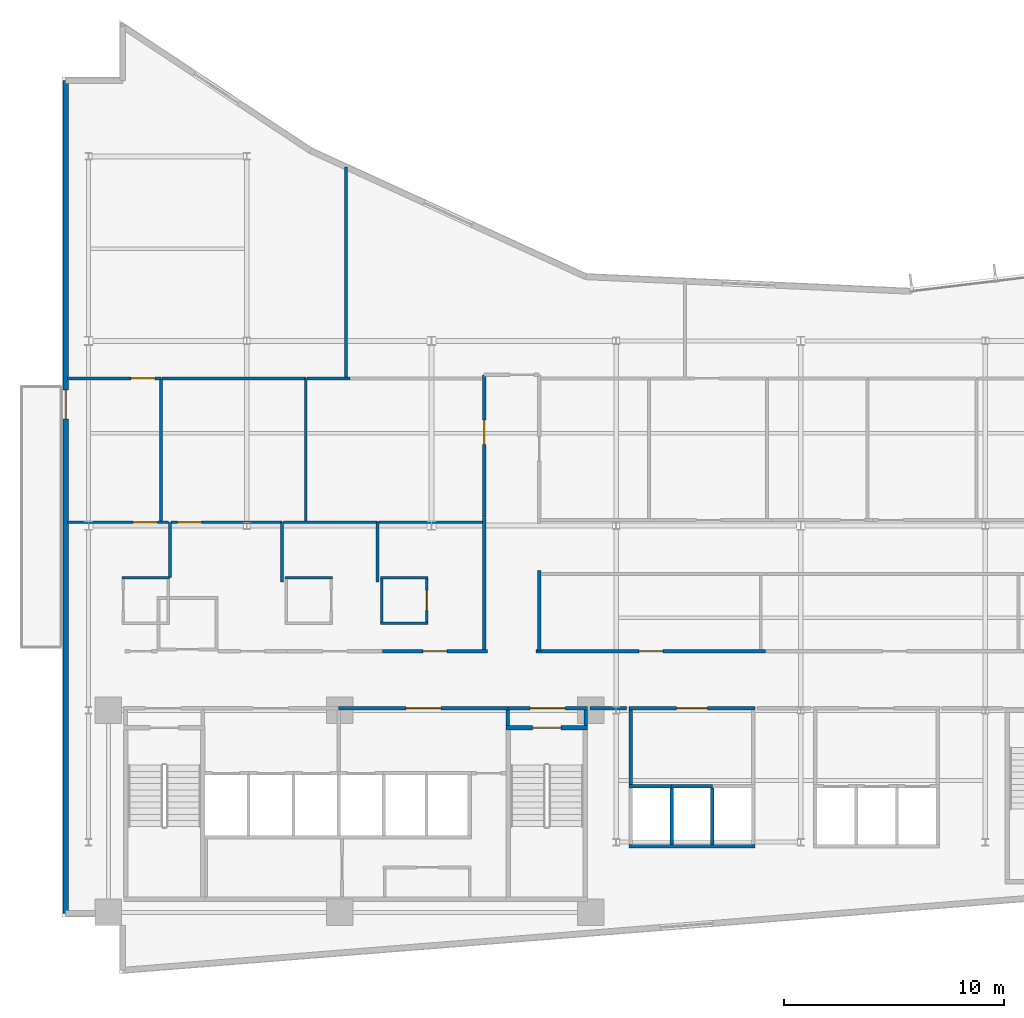
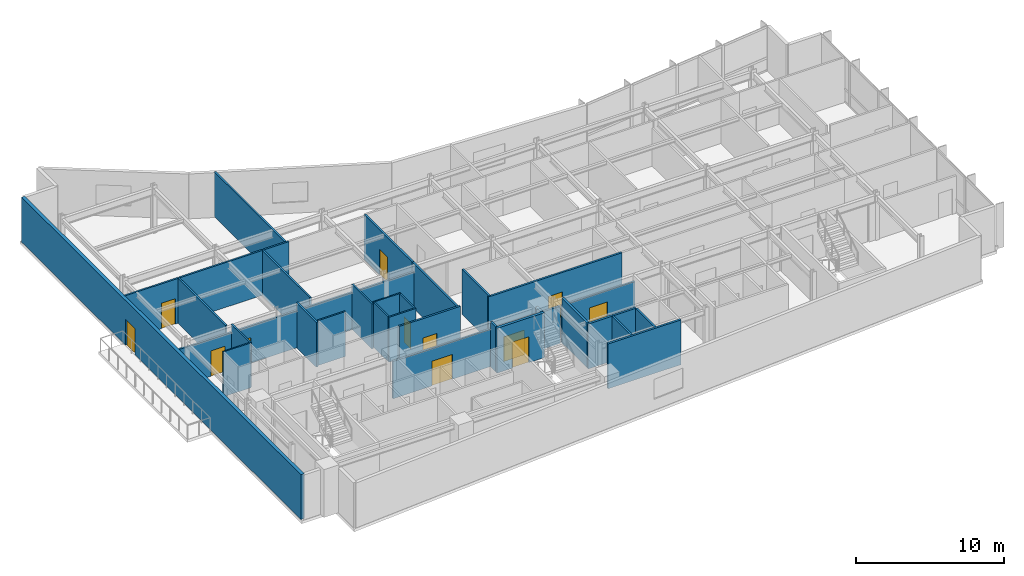
# One storey, part 11 of 18: 38 walls, 12 doors, 12 openings.
"""IFC4 building model written with IfcOpenShell, lengths in metres."""

from ifc_helpers import new_model, si_unit, direction, frame, frame_2d, origin, place, context, subcontext, project, spatial, rectangle, extrude, material, layer, layer_set, type_object, element, fill, save


model = new_model("IFC4")

# Units and contexts
model_context = context("Model", 3, precision=1e-05, world=origin(), true_north=direction((0.0, 1.0)))
body_context = subcontext(model_context, "Body", "Model", "MODEL_VIEW")
ifc_project = project(units=[si_unit("LENGTHUNIT", "METRE"), si_unit("AREAUNIT", "SQUARE_METRE"), si_unit("VOLUMEUNIT", "CUBIC_METRE"), si_unit("PLANEANGLEUNIT", "RADIAN"), si_unit("MASSUNIT", "GRAM", prefix="KILO")], contexts=[model_context])

# Site, building, storey
site_placement = place(None, origin())
site = spatial("IfcSite", under=ifc_project, at=site_placement, CompositionType="ELEMENT")
building_placement = place(site_placement, origin())
building = spatial("IfcBuilding", under=site, at=building_placement, Name="Varnakote Quay Hospital", CompositionType="ELEMENT")
storey_placement = place(building_placement, frame((0.0, 0.0, 107.300048828125)))
storey = spatial("IfcBuildingStorey", under=building, at=storey_placement, Name="L26", CompositionType="ELEMENT", Elevation=107.300048828125)

# Wall, opening, door
ifc_material_1 = material(Name="Fire-rated acoustic gypsum stud wall", Category="gypsum")
ifc_layer_1 = layer(ifc_material_1, 0.159912109375)
ifc_layer_set_1 = layer_set([ifc_layer_1], Name="Fire-rated acoustic gypsum stud wall")
wall_type_1 = type_object("IfcWallType", Name="WL-COMP-160", PredefinedType="PARTITIONING", material=ifc_layer_set_1)
wall_1_placement = place(storey_placement, frame((12.580078125, 12.080078125, 0.0), z_axis=(0.0, 0.0, 1.0), x_axis=(1.0, 0.0, 0.0)))
wall_1 = element("IfcWall", 1, at=wall_1_placement, inside=storey, type_object=wall_type_1, Name="L26 Clinical Bed Lift Lobby Wall", PredefinedType="PARTITIONING", context=body_context, shape_type="SweptSolid", body=[
    extrude(rectangle(XDim=7.699951171875, YDim=0.159912109375, at=frame_2d((3.85009765625, 0.0))), origin(), (0.0, 0.0, 1.0), 3.0830078125),
])
opening_1_placement = place(wall_1_placement, frame((3.050048828125, 0.0, 0.0)))
opening_1 = element("IfcOpeningElement", 2, at=opening_1_placement, cuts=wall_1, Name="Opening D-SVL-L26", PredefinedType="OPENING", context=body_context, shape_type="SweptSolid", body=[
    extrude(rectangle(XDim=1.60009765625, YDim=2.050048828125, at=frame_2d((0.800048828125, 1.02490234375))), frame((0.0, 0.08984375, 0.0), z_axis=(0.0, -1.0, 0.0), x_axis=(1.0, 0.0, 0.0)), (0.0, 0.0, 1.0), 0.179931640625),
])
ifc_material_2 = material(Name="Fire-rated double smoke lobby door")
door_type_1 = type_object("IfcDoorType", Name="DR-LOBBY-FD60S-1600x2150", OperationType="NOTDEFINED", PredefinedType="DOOR", material=ifc_material_2)
door_1_placement = place(opening_1_placement, origin())
door_1 = element("IfcDoor", 3, at=door_1_placement, inside=storey, type_object=door_type_1, Name="L26 Clinical Core Smoke Vestibule Door", OperationType="DOUBLE_DOOR_SINGLE_SWING", OverallHeight=2.050048828125, OverallWidth=1.60009765625, PredefinedType="DOOR", context=body_context, shape_type="SweptSolid", body=[
    extrude(rectangle(XDim=1.60009765625, YDim=2.050048828125, at=frame_2d((0.800048828125, 1.02490234375))), frame((0.0, 0.02490234375, 0.0), z_axis=(0.0, -1.0, 0.0), x_axis=(1.0, 0.0, 0.0)), (0.0, 0.0, 1.0), 0.050048828125),
])
fill(opening_1, door_1)

# Wall
wall_2_placement = place(storey_placement, frame((20.280029296875, 11.300048828125, 0.0), z_axis=(0.0, 0.0, 1.0), x_axis=(0.0, 1.0, 0.0)))
element("IfcWall", 4, at=wall_2_placement, inside=storey, type_object=wall_type_1, Name="L26 East Stair Vestibule Divider Wall", PredefinedType="PARTITIONING", context=body_context, shape_type="SweptSolid", body=[
    extrude(rectangle(XDim=0.699951171875, YDim=0.159912109375, at=frame_2d((0.35009765625, 0.0))), origin(), (0.0, 0.0, 1.0), 3.7099609375),
])

# Wall, opening, door
wall_3_placement = place(storey_placement, frame((20.280029296875, 12.080078125, 0.0), z_axis=(0.0, 0.0, 1.0), x_axis=(1.0, 0.0, 0.0)))
wall_3 = element("IfcWall", 5, at=wall_3_placement, inside=storey, type_object=wall_type_1, Name="L26 East Stair Vestibule Smoke Wall", PredefinedType="PARTITIONING", context=body_context, shape_type="SweptSolid", body=[
    extrude(rectangle(XDim=3.619873046875, YDim=0.159912109375, at=frame_2d((1.81005859375, 0.0))), origin(), (0.0, 0.0, 1.0), 3.0830078125),
])
opening_2_placement = place(wall_3_placement, frame((1.010009765625, 0.0, 0.0)))
opening_2 = element("IfcOpeningElement", 6, at=opening_2_placement, cuts=wall_3, Name="Opening D-ST2L-L26", PredefinedType="OPENING", context=body_context, shape_type="SweptSolid", body=[
    extrude(rectangle(XDim=1.60009765625, YDim=2.050048828125, at=frame_2d((0.800048828125, 1.02490234375))), frame((0.0, 0.08984375, 0.0), z_axis=(0.0, -1.0, 0.0), x_axis=(1.0, 0.0, 0.0)), (0.0, 0.0, 1.0), 0.179931640625),
])
door_2_placement = place(opening_2_placement, origin())
door_2 = element("IfcDoor", 7, at=door_2_placement, inside=storey, type_object=door_type_1, Name="L26 East Stair Vestibule Smoke Door", OperationType="DOUBLE_DOOR_SINGLE_SWING", OverallHeight=2.050048828125, OverallWidth=1.60009765625, PredefinedType="DOOR", context=body_context, shape_type="SweptSolid", body=[
    extrude(rectangle(XDim=1.60009765625, YDim=2.050048828125, at=frame_2d((0.800048828125, 1.02490234375))), frame((0.0, 0.02490234375, 0.0), z_axis=(0.0, -1.0, 0.0), x_axis=(1.0, 0.0, 0.0)), (0.0, 0.0, 1.0), 0.050048828125),
])
fill(opening_2, door_2)

# Walls
wall_4_placement = place(storey_placement, frame((23.820068359375, 11.300048828125, 0.0), z_axis=(0.0, 0.0, 1.0), x_axis=(0.0, 1.0, 0.0)))
element("IfcWall", 8, at=wall_4_placement, inside=storey, type_object=wall_type_1, Name="L26 East Stair Vestibule East Wall", PredefinedType="PARTITIONING", context=body_context, shape_type="SweptSolid", body=[
    extrude(rectangle(XDim=0.699951171875, YDim=0.159912109375, at=frame_2d((0.35009765625, 0.0))), origin(), (0.0, 0.0, 1.0), 3.7099609375),
])
wall_5_placement = place(storey_placement, frame((25.8701171875, 8.610107421875, 0.0), z_axis=(0.0, 0.0, 1.0), x_axis=(0.0, 1.0, 0.0)))
element("IfcWall", 9, at=wall_5_placement, inside=storey, type_object=wall_type_1, Name="L26 Low-Rise Lift Lobby West Wall", PredefinedType="PARTITIONING", context=body_context, shape_type="SweptSolid", body=[
    extrude(rectangle(XDim=3.389892578125, YDim=0.159912109375, at=frame_2d((1.69482421875, 0.0))), origin(), (0.0, 0.0, 1.0), 3.7099609375),
])

# Wall, opening, door
wall_6_placement = place(storey_placement, frame((25.7900390625, 12.080078125, 0.0), z_axis=(0.0, 0.0, 1.0), x_axis=(1.0, 0.0, 0.0)))
wall_6 = element("IfcWall", 10, at=wall_6_placement, inside=storey, type_object=wall_type_1, Name="L26 Low-Rise Lift Lobby North Wall", PredefinedType="PARTITIONING", context=body_context, shape_type="SweptSolid", body=[
    extrude(rectangle(XDim=5.719970703125, YDim=0.159912109375, at=frame_2d((2.85986328125, 0.0))), origin(), (0.0, 0.0, 1.0), 3.0830078125),
])
opening_3_placement = place(wall_6_placement, frame((2.159912109375, 0.0, 0.0)))
opening_3 = element("IfcOpeningElement", 11, at=opening_3_placement, cuts=wall_6, Name="Opening D-PLO-L26", PredefinedType="OPENING", context=body_context, shape_type="SweptSolid", body=[
    extrude(rectangle(XDim=1.39990234375, YDim=2.14990234375, at=frame_2d((0.699951171875, 1.074951171875))), frame((0.0, 0.08984375, 0.0), z_axis=(0.0, -1.0, 0.0), x_axis=(1.0, 0.0, 0.0)), (0.0, 0.0, 1.0), 0.179931640625),
])
ifc_material_3 = material(Name="Fire-rated acoustic plant room door")
door_type_2 = type_object("IfcDoorType", Name="DR-PLANT-FD60-1400x2150", OperationType="NOTDEFINED", PredefinedType="DOOR", material=ifc_material_3)
door_3_placement = place(opening_3_placement, origin())
door_3 = element("IfcDoor", 12, at=door_3_placement, inside=storey, type_object=door_type_2, Name="L26 Low-Rise Traction Overrun Motor Plant Door", OperationType="SINGLE_SWING_RIGHT", OverallHeight=2.14990234375, OverallWidth=1.39990234375, PredefinedType="DOOR", context=body_context, shape_type="SweptSolid", body=[
    extrude(rectangle(XDim=1.39990234375, YDim=2.14990234375, at=frame_2d((0.699951171875, 1.074951171875))), frame((0.0, 0.02490234375, 0.0), z_axis=(0.0, -1.0, 0.0), x_axis=(1.0, 0.0, 0.0)), (0.0, 0.0, 1.0), 0.050048828125),
])
fill(opening_3, door_3)

# Walls
wall_7_placement = place(storey_placement, frame((24.02001953125, 12.080078125, 0.0), z_axis=(0.0, 0.0, 1.0), x_axis=(1.0, 0.0, 0.0)))
element("IfcWall", 13, at=wall_7_placement, inside=storey, type_object=wall_type_1, Name="L26 Corridor South Gap Wall", PredefinedType="PARTITIONING", context=body_context, shape_type="SweptSolid", body=[
    extrude(rectangle(XDim=1.64990234375, YDim=0.159912109375, at=frame_2d((0.824951171875, 0.0))), origin(), (0.0, 0.0, 1.0), 3.0830078125),
])
ifc_material_4 = material(Name="Moisture-resistant bathroom partition", Category="gypsum")
ifc_layer_2 = layer(ifc_material_4, 0.114990234375)
ifc_layer_set_2 = layer_set([ifc_layer_2], Name="Moisture-resistant bathroom partition")
wall_type_2 = type_object("IfcWallType", Name="WL-ENS-115", PredefinedType="PARTITIONING", material=ifc_layer_set_2)
for number, where, z_axis, x_axis, name in (
    (14, (2.72509765625, 18.017578125, 0.0), (0.0, 0.0, 1.0), (1.0, 0.0, 0.0), "L26 Inpatient En-Suite Bathroom 01 N Wall"),
    (15, (10.14501953125, 18.017578125, 0.0), (0.0, 0.0, 1.0), (1.0, 0.0, 0.0), "L26 Inpatient En-Suite Bathroom 02 N Wall"),
    (16, (14.485107421875, 15.952392578125, 0.0), (0.0, 0.0, 1.0), (1.0, 0.0, 0.0), "L26 Inpatient En-Suite Bathroom 03 S Wall"),
    (17, (14.485107421875, 18.017578125, 0.0), (0.0, 0.0, 1.0), (1.0, 0.0, 0.0), "L26 Inpatient En-Suite Bathroom 03 N Wall"),
):
    element("IfcWall", number, at=place(storey_placement, frame(where, z_axis=z_axis, x_axis=x_axis)), inside=storey, type_object=wall_type_2, Name=name, PredefinedType="PARTITIONING", context=body_context, shape_type="SweptSolid", body=[
        extrude(rectangle(XDim=2.14990234375, YDim=0.114990234375, at=frame_2d((1.074951171875, 0.0))), origin(), (0.0, 0.0, 1.0), 3.7099609375),
    ])
wall_8_placement = place(storey_placement, frame((14.54248046875, 16.010009765625, 0.0), z_axis=(0.0, 0.0, 1.0), x_axis=(0.0, 1.0, 0.0)))
element("IfcWall", 18, at=wall_8_placement, inside=storey, type_object=wall_type_2, Name="L26 Inpatient En-Suite Bathroom 03 W Wall", PredefinedType="PARTITIONING", context=body_context, shape_type="SweptSolid", body=[
    extrude(rectangle(XDim=1.949951171875, YDim=0.114990234375, at=frame_2d((0.97509765625, 0.0))), origin(), (0.0, 0.0, 1.0), 3.7099609375),
])

# Wall, opening, door
wall_9_placement = place(storey_placement, frame((16.577392578125, 16.010009765625, 0.0), z_axis=(0.0, 0.0, 1.0), x_axis=(0.0, 1.0, 0.0)))
wall_9 = element("IfcWall", 19, at=wall_9_placement, inside=storey, type_object=wall_type_2, Name="L26 Inpatient En-Suite Bathroom 03 E Wall", PredefinedType="PARTITIONING", context=body_context, shape_type="SweptSolid", body=[
    extrude(rectangle(XDim=1.949951171875, YDim=0.114990234375, at=frame_2d((0.97509765625, 0.0))), origin(), (0.0, 0.0, 1.0), 3.7099609375),
])
opening_4_placement = place(wall_9_placement, frame((0.514892578125, 0.0, 0.0)))
opening_4 = element("IfcOpeningElement", 20, at=opening_4_placement, cuts=wall_9, Name="Opening D-L26-ENS03", PredefinedType="OPENING", context=body_context, shape_type="SweptSolid", body=[
    extrude(rectangle(XDim=0.919921875, YDim=2.10009765625, at=frame_2d((0.4599609375, 1.050048828125))), frame((0.0, 0.0673828125, 0.0), z_axis=(0.0, -1.0, 0.0), x_axis=(1.0, 0.0, 0.0)), (0.0, 0.0, 1.0), 0.135009765625),
])
ifc_material_5 = material(Name="Moisture-sealed en-suite bathroom door")
door_type_3 = type_object("IfcDoorType", Name="DR-ENS-920x2100", OperationType="NOTDEFINED", PredefinedType="DOOR", material=ifc_material_5)
door_4_placement = place(opening_4_placement, origin())
door_4 = element("IfcDoor", 21, at=door_4_placement, inside=storey, type_object=door_type_3, Name="L26 Inpatient En-Suite Bathroom 03 Door", OperationType="SINGLE_SWING_RIGHT", OverallHeight=2.10009765625, OverallWidth=0.919921875, PredefinedType="DOOR", context=body_context, shape_type="SweptSolid", body=[
    extrude(rectangle(XDim=0.919921875, YDim=2.10009765625, at=frame_2d((0.4599609375, 1.050048828125))), frame((0.0, 0.02490234375, 0.0), z_axis=(0.0, -1.0, 0.0), x_axis=(1.0, 0.0, 0.0)), (0.0, 0.0, 1.0), 0.050048828125),
])
fill(opening_4, door_4)

ifc_material_6 = material(Name="Precast concrete N50 (f'c 50 MPa)", Category="concrete")
ifc_layer_3 = layer(ifc_material_6, 0.260009765625)
ifc_layer_set_3 = layer_set([ifc_layer_3], Name="Precast concrete N50 (f'c 50 MPa)")
wall_type_3 = type_object("IfcWallType", Name="WL-EXT-BRICK-260", PredefinedType="STANDARD", material=ifc_layer_set_3)
wall_10_placement = place(storey_placement, frame((0.159912109375, 40.639892578125, 0.0), z_axis=(0.0, 0.0, 1.0), x_axis=(0.0, -1.0, 0.0)))
wall_10 = element("IfcWall", 22, at=wall_10_placement, inside=storey, type_object=wall_type_3, Name="L26 Healing Terrace Portal Brick Wall", PredefinedType="STANDARD", context=body_context, shape_type="SweptSolid", body=[
    extrude(rectangle(XDim=37.8798828125, YDim=0.260009765625, at=frame_2d((18.93994140625, 0.0))), origin(), (0.0, 0.0, 1.0), 3.7099609375),
])
opening_5_placement = place(wall_10_placement, frame((14.0810546875, 0.0, 0.0)))
opening_5 = element("IfcOpeningElement", 23, at=opening_5_placement, cuts=wall_10, Name="Opening DT-L26", PredefinedType="OPENING", context=body_context, shape_type="SweptSolid", body=[
    extrude(rectangle(XDim=1.300048828125, YDim=2.14990234375, at=frame_2d((0.64990234375, 1.074951171875))), frame((0.0, 0.139892578125, 0.0), z_axis=(0.0, -1.0, 0.0), x_axis=(1.0, 0.0, 0.0)), (0.0, 0.0, 1.0), 0.280029296875),
])
ifc_material_7 = material(Name="Anodised aluminium glazed terrace door", Category="aluminium")
door_type_4 = type_object("IfcDoorType", Name="DR-EXT-TERR-1300x2150", OperationType="NOTDEFINED", PredefinedType="DOOR", material=ifc_material_7)
door_5_placement = place(opening_5_placement, origin())
door_5 = element("IfcDoor", 24, at=door_5_placement, inside=storey, type_object=door_type_4, Name="L26 Waterfront Healing Terrace Door", OperationType="SINGLE_SWING_LEFT", OverallHeight=2.14990234375, OverallWidth=1.300048828125, PredefinedType="DOOR", context=body_context, shape_type="SweptSolid", body=[
    extrude(rectangle(XDim=1.300048828125, YDim=2.14990234375, at=frame_2d((0.64990234375, 1.074951171875))), frame((0.0, 0.02490234375, 0.0), z_axis=(0.0, -1.0, 0.0), x_axis=(1.0, 0.0, 0.0)), (0.0, 0.0, 1.0), 0.050048828125),
])
fill(opening_5, door_5)

# Walls
ifc_material_8 = material(Name="Concrete N50 (f'c 50 MPa)", Category="concrete")
ifc_layer_4 = layer(ifc_material_8, 0.14990234375)
ifc_layer_set_4 = layer_set([ifc_layer_4], Name="Concrete N50 (f'c 50 MPa)")
wall_type_4 = type_object("IfcWallType", Name="WL-SHAFT-N50-150", PredefinedType="SHEAR", material=ifc_layer_set_4)
for number, where, z_axis, x_axis, name in (
    (25, (27.72509765625, 5.89990234375, 0.0), (0.0, 0.0, 1.0), (0.0, 1.0, 0.0), "L26 LF-PL1 Hoistway Divider Wall"),
    (26, (29.574951171875, 5.89990234375, 0.0), (0.0, 0.0, 1.0), (0.0, 1.0, 0.0), "L26 LF-PL2 Hoistway Divider Wall"),
):
    element("IfcWall", number, at=place(storey_placement, frame(where, z_axis=z_axis, x_axis=x_axis)), inside=storey, type_object=wall_type_4, Name=name, PredefinedType="SHEAR", context=body_context, shape_type="SweptSolid", body=[
        extrude(rectangle(XDim=2.550048828125, YDim=0.14990234375, at=frame_2d((1.27490234375, 0.0))), origin(), (0.0, 0.0, 1.0), 3.7099609375),
    ])
ifc_material_9 = material(Name="Concrete N50 (f'c 50 MPa)", Category="concrete")
ifc_layer_5 = layer(ifc_material_9, 0.159912109375)
ifc_layer_set_5 = layer_set([ifc_layer_5], Name="Concrete N50 (f'c 50 MPa)")
wall_type_5 = type_object("IfcWallType", Name="WL-SHAFT-N50-160", PredefinedType="SHEAR", material=ifc_layer_set_5)
wall_11_placement = place(storey_placement, frame((25.7900390625, 5.820068359375, 0.0), z_axis=(0.0, 0.0, 1.0), x_axis=(1.0, 0.0, 0.0)))
element("IfcWall", 27, at=wall_11_placement, inside=storey, type_object=wall_type_5, Name="L26 LOW Lift Bank Back Shear Wall", PredefinedType="SHEAR", context=body_context, shape_type="SweptSolid", body=[
    extrude(rectangle(XDim=5.719970703125, YDim=0.159912109375, at=frame_2d((2.85986328125, 0.0))), origin(), (0.0, 0.0, 1.0), 3.7099609375),
])
wall_12_placement = place(storey_placement, frame((25.7900390625, 8.530029296875, 0.0), z_axis=(0.0, 0.0, 1.0), x_axis=(1.0, 0.0, 0.0)))
element("IfcWall", 28, at=wall_12_placement, inside=storey, type_object=wall_type_5, Name="L26 LF-PL1 Hoistway Front Wall", PredefinedType="SHEAR", context=body_context, shape_type="SweptSolid", body=[
    extrude(rectangle(XDim=1.93505859375, YDim=0.159912109375, at=frame_2d((0.967529296875, 0.0))), origin(), (0.0, 0.0, 1.0), 3.7099609375),
])
wall_13_placement = place(storey_placement, frame((27.72509765625, 8.530029296875, 0.0), z_axis=(0.0, 0.0, 1.0), x_axis=(1.0, 0.0, 0.0)))
element("IfcWall", 29, at=wall_13_placement, inside=storey, type_object=wall_type_5, Name="L26 LF-PL2 Hoistway Front Wall", PredefinedType="SHEAR", context=body_context, shape_type="SweptSolid", body=[
    extrude(rectangle(XDim=1.849853515625, YDim=0.159912109375, at=frame_2d((0.9248046875, 0.0))), origin(), (0.0, 0.0, 1.0), 3.7099609375),
])

# Wall, opening, door
ifc_material_10 = material(Name="Concrete N50 (f'c 50 MPa)", Category="concrete")
ifc_layer_6 = layer(ifc_material_10, 0.199951171875)
ifc_layer_set_6 = layer_set([ifc_layer_6], Name="Concrete N50 (f'c 50 MPa)")
wall_type_6 = type_object("IfcWallType", Name="WL-SHAFT-N50-200", PredefinedType="SHEAR", material=ifc_layer_set_6)
wall_14_placement = place(storey_placement, frame((20.199951171875, 11.199951171875, 0.0), z_axis=(0.0, 0.0, 1.0), x_axis=(1.0, 0.0, 0.0)))
wall_14 = element("IfcWall", 30, at=wall_14_placement, inside=storey, type_object=wall_type_6, Name="L26 Stair ST2 Exit Wall", PredefinedType="SHEAR", context=body_context, shape_type="SweptSolid", body=[
    extrude(rectangle(XDim=3.699951171875, YDim=0.199951171875, at=frame_2d((1.85009765625, 0.0))), origin(), (0.0, 0.0, 1.0), 3.7099609375),
])
opening_6_placement = place(wall_14_placement, frame((1.199951171875, 0.0, 0.0)))
opening_6 = element("IfcOpeningElement", 31, at=opening_6_placement, cuts=wall_14, Name="Opening D-ST2-L26", PredefinedType="OPENING", context=body_context, shape_type="SweptSolid", body=[
    extrude(rectangle(XDim=1.300048828125, YDim=2.14990234375, at=frame_2d((0.64990234375, 1.074951171875))), frame((0.0, 0.10986328125, 0.0), z_axis=(0.0, -1.0, 0.0), x_axis=(1.0, 0.0, 0.0)), (0.0, 0.0, 1.0), 0.219970703125),
])
ifc_material_11 = material(Name="Fire-rated ceramic-glazed timber exit door", Category="wood")
door_type_5 = type_object("IfcDoorType", Name="DR-STAIR-FD60S-1300x2150", OperationType="NOTDEFINED", PredefinedType="DOOR", material=ifc_material_11)
door_6_placement = place(opening_6_placement, origin())
door_6 = element("IfcDoor", 32, at=door_6_placement, inside=storey, type_object=door_type_5, Name="L26 Stair ST2 Fire Exit Door", OperationType="SINGLE_SWING_LEFT", OverallHeight=2.14990234375, OverallWidth=1.300048828125, PredefinedType="DOOR", context=body_context, shape_type="SweptSolid", body=[
    extrude(rectangle(XDim=1.300048828125, YDim=2.14990234375, at=frame_2d((0.64990234375, 1.074951171875))), frame((0.0, 0.02490234375, 0.0), z_axis=(0.0, -1.0, 0.0), x_axis=(1.0, 0.0, 0.0)), (0.0, 0.0, 1.0), 0.050048828125),
])
fill(opening_6, door_6)

# Wall
ifc_material_12 = material(Name="Smoke-proof clinical partition", Category="gypsum")
ifc_layer_7 = layer(ifc_material_12, 0.135009765625)
ifc_layer_set_7 = layer_set([ifc_layer_7], Name="Smoke-proof clinical partition")
wall_type_7 = type_object("IfcWallType", Name="WL-SMOKE-135", PredefinedType="PARTITIONING", material=ifc_layer_set_7)
wall_15_placement = place(storey_placement, frame((4.89990234375, 18.0400390625, 0.0), z_axis=(0.0, 0.0, 1.0), x_axis=(0.0, 1.0, 0.0)))
element("IfcWall", 33, at=wall_15_placement, inside=storey, type_object=wall_type_7, Name="L26 Clinical Interior Partition", PredefinedType="PARTITIONING", context=body_context, shape_type="SweptSolid", body=[
    extrude(rectangle(XDim=2.510009765625, YDim=0.135009765625, at=frame_2d((1.2548828125, 0.0))), origin(), (0.0, 0.0, 1.0), 3.7099609375),
])

# Wall, opening, door
wall_16_placement = place(storey_placement, frame((4.842529296875, 20.550048828125, 0.0), z_axis=(0.0, 0.0, 1.0), x_axis=(-1.0, 0.0, 0.0)))
wall_16 = element("IfcWall", 34, at=wall_16_placement, inside=storey, type_object=wall_type_7, Name="L26 Clinical Interior Partition", PredefinedType="PARTITIONING", context=body_context, shape_type="SweptSolid", body=[
    extrude(rectangle(XDim=4.6025390625, YDim=0.135009765625, at=frame_2d((2.30126953125, 0.0))), origin(), (0.0, 0.0, 1.0), 3.0830078125),
])
opening_7_placement = place(wall_16_placement, frame((0.51025390625, 0.0, 0.0)))
opening_7 = element("IfcOpeningElement", 35, at=opening_7_placement, cuts=wall_16, Name="Opening D-L26-DLNG", PredefinedType="OPENING", context=body_context, shape_type="SweptSolid", body=[
    extrude(rectangle(XDim=1.10009765625, YDim=2.10009765625, at=frame_2d((0.550048828125, 1.050048828125))), frame((0.0, 0.077392578125, 0.0), z_axis=(0.0, -1.0, 0.0), x_axis=(1.0, 0.0, 0.0)), (0.0, 0.0, 1.0), 0.155029296875),
])
ifc_material_13 = material(Name="Acoustic timber clinical consult door", Category="wood")
door_type_6 = type_object("IfcDoorType", Name="DR-CLIN-FD30S-1100x2100", OperationType="NOTDEFINED", PredefinedType="DOOR", material=ifc_material_13)
door_7_placement = place(opening_7_placement, origin())
door_7 = element("IfcDoor", 36, at=door_7_placement, inside=storey, type_object=door_type_6, Name="L26 Waterfront Patient & Family Dayroom Door", OperationType="SINGLE_SWING_LEFT", OverallHeight=2.10009765625, OverallWidth=1.10009765625, PredefinedType="DOOR", context=body_context, shape_type="SweptSolid", body=[
    extrude(rectangle(XDim=1.10009765625, YDim=2.10009765625, at=frame_2d((0.550048828125, 1.050048828125))), frame((0.0, 0.02490234375, 0.0), z_axis=(0.0, -1.0, 0.0), x_axis=(1.0, 0.0, 0.0)), (0.0, 0.0, 1.0), 0.050048828125),
])
fill(opening_7, door_7)

# Wall
wall_17_placement = place(storey_placement, frame((10.0, 17.83251953125, 0.0), z_axis=(0.0, 0.0, 1.0), x_axis=(0.0, 1.0, 0.0)))
element("IfcWall", 37, at=wall_17_placement, inside=storey, type_object=wall_type_7, Name="L26 Clinical Interior Partition", PredefinedType="PARTITIONING", context=body_context, shape_type="SweptSolid", body=[
    extrude(rectangle(XDim=2.717529296875, YDim=0.135009765625, at=frame_2d((1.35888671875, 0.0))), origin(), (0.0, 0.0, 1.0), 3.7099609375),
])

# Wall, opening, door
wall_18_placement = place(storey_placement, frame((10.0, 20.550048828125, 0.0), z_axis=(0.0, 0.0, 1.0), x_axis=(-1.0, 0.0, 0.0)))
wall_18 = element("IfcWall", 38, at=wall_18_placement, inside=storey, type_object=wall_type_7, Name="L26 Clinical Interior Partition", PredefinedType="PARTITIONING", context=body_context, shape_type="SweptSolid", body=[
    extrude(rectangle(XDim=5.04248046875, YDim=0.135009765625, at=frame_2d((2.521240234375, 0.0))), origin(), (0.0, 0.0, 1.0), 3.0830078125),
])
opening_8_placement = place(wall_18_placement, frame((3.65380859375, 0.0, 0.0)))
opening_8 = element("IfcOpeningElement", 39, at=opening_8_placement, cuts=wall_18, Name="Opening D-L26-MD06", PredefinedType="OPENING", context=body_context, shape_type="SweptSolid", body=[
    extrude(rectangle(XDim=1.10009765625, YDim=2.10009765625, at=frame_2d((0.550048828125, 1.050048828125))), frame((0.0, 0.077392578125, 0.0), z_axis=(0.0, -1.0, 0.0), x_axis=(1.0, 0.0, 0.0)), (0.0, 0.0, 1.0), 0.155029296875),
])
door_8_placement = place(opening_8_placement, origin())
door_8 = element("IfcDoor", 40, at=door_8_placement, inside=storey, type_object=door_type_6, Name="L26 Maternity Assessment Treatment Suite Door", OperationType="SINGLE_SWING_RIGHT", OverallHeight=2.10009765625, OverallWidth=1.10009765625, PredefinedType="DOOR", context=body_context, shape_type="SweptSolid", body=[
    extrude(rectangle(XDim=1.10009765625, YDim=2.10009765625, at=frame_2d((0.550048828125, 1.050048828125))), frame((0.0, 0.02490234375, 0.0), z_axis=(0.0, -1.0, 0.0), x_axis=(1.0, 0.0, 0.0)), (0.0, 0.0, 1.0), 0.050048828125),
])
fill(opening_8, door_8)

# Walls
wall_19_placement = place(storey_placement, frame((14.340087890625, 17.83251953125, 0.0), z_axis=(0.0, 0.0, 1.0), x_axis=(0.0, 1.0, 0.0)))
element("IfcWall", 41, at=wall_19_placement, inside=storey, type_object=wall_type_7, Name="L26 Clinical Interior Partition", PredefinedType="PARTITIONING", context=body_context, shape_type="SweptSolid", body=[
    extrude(rectangle(XDim=2.717529296875, YDim=0.135009765625, at=frame_2d((1.35888671875, 0.0))), origin(), (0.0, 0.0, 1.0), 3.7099609375),
])
wall_20_placement = place(storey_placement, frame((14.340087890625, 20.550048828125, 0.0), z_axis=(0.0, 0.0, 1.0), x_axis=(-1.0, 0.0, 0.0)))
element("IfcWall", 42, at=wall_20_placement, inside=storey, type_object=wall_type_7, Name="L26 Clinical Interior Partition", PredefinedType="PARTITIONING", context=body_context, shape_type="SweptSolid", body=[
    extrude(rectangle(XDim=4.282470703125, YDim=0.135009765625, at=frame_2d((2.14111328125, 0.0))), origin(), (0.0, 0.0, 1.0), 3.0830078125),
])
wall_21_placement = place(storey_placement, frame((19.1201171875, 20.550048828125, 0.0), z_axis=(0.0, 0.0, 1.0), x_axis=(-1.0, 0.0, 0.0)))
element("IfcWall", 43, at=wall_21_placement, inside=storey, type_object=wall_type_7, Name="L26 Clinical Interior Partition", PredefinedType="PARTITIONING", context=body_context, shape_type="SweptSolid", body=[
    extrude(rectangle(XDim=4.72265625, YDim=0.135009765625, at=frame_2d((2.361328125, 0.0))), origin(), (0.0, 0.0, 1.0), 3.0830078125),
])
wall_22_placement = place(storey_placement, frame((4.489990234375, 20.607421875, 0.0), z_axis=(0.0, 0.0, 1.0), x_axis=(0.0, 1.0, 0.0)))
element("IfcWall", 44, at=wall_22_placement, inside=storey, type_object=wall_type_7, Name="L26 Clinical Interior Partition", PredefinedType="PARTITIONING", context=body_context, shape_type="SweptSolid", body=[
    extrude(rectangle(XDim=6.49267578125, YDim=0.135009765625, at=frame_2d((3.246337890625, 0.0))), origin(), (0.0, 0.0, 1.0), 3.7099609375),
])

# Wall, opening, door
wall_23_placement = place(storey_placement, frame((4.489990234375, 27.10009765625, 0.0), z_axis=(0.0, 0.0, 1.0), x_axis=(-1.0, 0.0, 0.0)))
wall_23 = element("IfcWall", 45, at=wall_23_placement, inside=storey, type_object=wall_type_7, Name="L26 Clinical Interior Partition", PredefinedType="PARTITIONING", context=body_context, shape_type="SweptSolid", body=[
    extrude(rectangle(XDim=4.25, YDim=0.135009765625, at=frame_2d((2.125, 0.0))), origin(), (0.0, 0.0, 1.0), 3.7099609375),
])
opening_9_placement = place(wall_23_placement, frame((0.268798828125, 0.0, 0.0)))
opening_9 = element("IfcOpeningElement", 46, at=opening_9_placement, cuts=wall_23, Name="Opening D-L26-MD15", PredefinedType="OPENING", context=body_context, shape_type="SweptSolid", body=[
    extrude(rectangle(XDim=1.10009765625, YDim=2.10009765625, at=frame_2d((0.550048828125, 1.050048828125))), frame((0.0, 0.077392578125, 0.0), z_axis=(0.0, -1.0, 0.0), x_axis=(1.0, 0.0, 0.0)), (0.0, 0.0, 1.0), 0.155029296875),
])
door_9_placement = place(opening_9_placement, origin())
door_9 = element("IfcDoor", 47, at=door_9_placement, inside=storey, type_object=door_type_6, Name="L26 Perinatal Clinical Consultation Suite Door", OperationType="SINGLE_SWING_LEFT", OverallHeight=2.10009765625, OverallWidth=1.10009765625, PredefinedType="DOOR", context=body_context, shape_type="SweptSolid", body=[
    extrude(rectangle(XDim=1.10009765625, YDim=2.10009765625, at=frame_2d((0.550048828125, 1.050048828125))), frame((0.0, 0.02490234375, 0.0), z_axis=(0.0, -1.0, 0.0), x_axis=(1.0, 0.0, 0.0)), (0.0, 0.0, 1.0), 0.050048828125),
])
fill(opening_9, door_9)

# Walls
wall_24_placement = place(storey_placement, frame((11.080078125, 20.607421875, 0.0), z_axis=(0.0, 0.0, 1.0), x_axis=(0.0, 1.0, 0.0)))
element("IfcWall", 48, at=wall_24_placement, inside=storey, type_object=wall_type_7, Name="L26 Clinical Interior Partition", PredefinedType="PARTITIONING", context=body_context, shape_type="SweptSolid", body=[
    extrude(rectangle(XDim=6.49267578125, YDim=0.135009765625, at=frame_2d((3.246337890625, 0.0))), origin(), (0.0, 0.0, 1.0), 3.7099609375),
])
wall_25_placement = place(storey_placement, frame((11.080078125, 27.10009765625, 0.0), z_axis=(0.0, 0.0, 1.0), x_axis=(-1.0, 0.0, 0.0)))
element("IfcWall", 49, at=wall_25_placement, inside=storey, type_object=wall_type_7, Name="L26 Clinical Interior Partition", PredefinedType="PARTITIONING", context=body_context, shape_type="SweptSolid", body=[
    extrude(rectangle(XDim=6.532470703125, YDim=0.135009765625, at=frame_2d((3.26611328125, 0.0))), origin(), (0.0, 0.0, 1.0), 3.7099609375),
])
wall_26_placement = place(storey_placement, frame((13.08837890625, 27.10009765625, 0.0), z_axis=(0.0, 0.0, 1.0), x_axis=(-1.0, 0.0, 0.0)))
element("IfcWall", 50, at=wall_26_placement, inside=storey, type_object=wall_type_7, Name="L26 Clinical Interior Partition", PredefinedType="PARTITIONING", context=body_context, shape_type="SweptSolid", body=[
    extrude(rectangle(XDim=1.950927734375, YDim=0.135009765625, at=frame_2d((0.9755859375, 0.0))), origin(), (0.0, 0.0, 1.0), 3.7099609375),
])
wall_27_placement = place(storey_placement, frame((12.909912109375, 27.157470703125, 0.0), z_axis=(0.0, 0.0, 1.0), x_axis=(0.0, 1.0, 0.0)))
element("IfcWall", 51, at=wall_27_placement, inside=storey, type_object=wall_type_7, Name="L26 Clinical Interior Partition", PredefinedType="PARTITIONING", context=body_context, shape_type="SweptSolid", body=[
    extrude(rectangle(XDim=9.552734375, YDim=0.135009765625, at=frame_2d((4.7763671875, 0.0))), origin(), (0.0, 0.0, 1.0), 3.7099609375),
])

# Wall, opening, door
ifc_material_14 = material(Name="Fire-rated clinical gypsum partition", Category="gypsum")
ifc_layer_8 = layer(ifc_material_14, 0.14990234375)
ifc_layer_set_8 = layer_set([ifc_layer_8], Name="Fire-rated clinical gypsum partition")
wall_type_8 = type_object("IfcWallType", Name="WL-WARD-150", PredefinedType="PARTITIONING", material=ifc_layer_set_8)
wall_28_placement = place(storey_placement, frame((19.345947265625, 14.679931640625, 0.0), z_axis=(0.0, 0.0, 1.0), x_axis=(-1.0, 0.0, 0.0)))
wall_28 = element("IfcWall", 52, at=wall_28_placement, inside=storey, type_object=wall_type_8, Name="L26 Clinical Interior Partition", PredefinedType="PARTITIONING", context=body_context, shape_type="SweptSolid", body=[
    extrude(rectangle(XDim=4.77783203125, YDim=0.14990234375, at=frame_2d((2.388916015625, 0.0))), origin(), (0.0, 0.0, 1.0), 3.7099609375),
])
opening_10_placement = place(wall_28_placement, frame((1.839111328125, 0.0, 0.0)))
opening_10 = element("IfcOpeningElement", 53, at=opening_10_placement, cuts=wall_28, Name="Opening D-L26-BR03", PredefinedType="OPENING", context=body_context, shape_type="SweptSolid", body=[
    extrude(rectangle(XDim=1.10009765625, YDim=2.10009765625, at=frame_2d((0.550048828125, 1.050048828125))), frame((0.0, 0.0849609375, 0.0), z_axis=(0.0, -1.0, 0.0), x_axis=(1.0, 0.0, 0.0)), (0.0, 0.0, 1.0), 0.169921875),
])
door_10_placement = place(opening_10_placement, origin())
door_10 = element("IfcDoor", 54, at=door_10_placement, inside=storey, type_object=door_type_6, Name="L26 Inpatient Clinical Treatment Room 03 Door", OperationType="SINGLE_SWING_LEFT", OverallHeight=2.10009765625, OverallWidth=1.10009765625, PredefinedType="DOOR", context=body_context, shape_type="SweptSolid", body=[
    extrude(rectangle(XDim=1.10009765625, YDim=2.10009765625, at=frame_2d((0.550048828125, 1.050048828125))), frame((0.0, 0.02490234375, 0.0), z_axis=(0.0, -1.0, 0.0), x_axis=(1.0, 0.0, 0.0)), (0.0, 0.0, 1.0), 0.050048828125),
])
fill(opening_10, door_10)

wall_29_placement = place(storey_placement, frame((32.006103515625, 14.679931640625, 0.0), z_axis=(0.0, 0.0, 1.0), x_axis=(-1.0, 0.0, 0.0)))
wall_29 = element("IfcWall", 55, at=wall_29_placement, inside=storey, type_object=wall_type_8, Name="L26 Clinical Interior Partition", PredefinedType="PARTITIONING", context=body_context, shape_type="SweptSolid", body=[
    extrude(rectangle(XDim=10.4521484375, YDim=0.14990234375, at=frame_2d((5.22607421875, 0.0))), origin(), (0.0, 0.0, 1.0), 3.7099609375),
])
opening_11_placement = place(wall_29_placement, frame((4.676025390625, 0.0, 0.0)))
opening_11 = element("IfcOpeningElement", 56, at=opening_11_placement, cuts=wall_29, Name="Opening D-L26-MD02", PredefinedType="OPENING", context=body_context, shape_type="SweptSolid", body=[
    extrude(rectangle(XDim=1.10009765625, YDim=2.10009765625, at=frame_2d((0.550048828125, 1.050048828125))), frame((0.0, 0.0849609375, 0.0), z_axis=(0.0, -1.0, 0.0), x_axis=(1.0, 0.0, 0.0)), (0.0, 0.0, 1.0), 0.169921875),
])
door_11_placement = place(opening_11_placement, origin())
door_11 = element("IfcDoor", 57, at=door_11_placement, inside=storey, type_object=door_type_6, Name="L26 Maternity Assessment Treatment Suite Door", OperationType="SINGLE_SWING_RIGHT", OverallHeight=2.10009765625, OverallWidth=1.10009765625, PredefinedType="DOOR", context=body_context, shape_type="SweptSolid", body=[
    extrude(rectangle(XDim=1.10009765625, YDim=2.10009765625, at=frame_2d((0.550048828125, 1.050048828125))), frame((0.0, 0.02490234375, 0.0), z_axis=(0.0, -1.0, 0.0), x_axis=(1.0, 0.0, 0.0)), (0.0, 0.0, 1.0), 0.050048828125),
])
fill(opening_11, door_11)

# Walls
wall_30_placement = place(storey_placement, frame((19.199951171875, 20.77587890625, 0.0), z_axis=(0.0, 0.0, 1.0), x_axis=(0.0, -1.0, 0.0)))
element("IfcWall", 58, at=wall_30_placement, inside=storey, type_object=wall_type_8, Name="L26 Clinical Interior Partition", PredefinedType="PARTITIONING", context=body_context, shape_type="SweptSolid", body=[
    extrude(rectangle(XDim=6.075927734375, YDim=0.14990234375, at=frame_2d((3.0380859375, 0.0))), origin(), (0.0, 0.0, 1.0), 3.7099609375),
])
wall_31_placement = place(storey_placement, frame((21.699951171875, 14.699951171875, 0.0), z_axis=(0.0, 0.0, 1.0), x_axis=(0.0, 1.0, 0.0)))
element("IfcWall", 59, at=wall_31_placement, inside=storey, type_object=wall_type_8, Name="L26 Clinical Interior Partition", PredefinedType="PARTITIONING", context=body_context, shape_type="SweptSolid", body=[
    extrude(rectangle(XDim=3.64599609375, YDim=0.14990234375, at=frame_2d((1.822998046875, 0.0))), origin(), (0.0, 0.0, 1.0), 3.7099609375),
])

# Wall, opening, door
wall_32_placement = place(storey_placement, frame((19.199951171875, 27.260009765625, 0.0), z_axis=(0.0, 0.0, 1.0), x_axis=(0.0, -1.0, 0.0)))
wall_32 = element("IfcWall", 60, at=wall_32_placement, inside=storey, type_object=wall_type_8, Name="L26 Clinical Interior Partition", PredefinedType="PARTITIONING", context=body_context, shape_type="SweptSolid", body=[
    extrude(rectangle(XDim=6.48193359375, YDim=0.14990234375, at=frame_2d((3.240966796875, 0.0))), origin(), (0.0, 0.0, 1.0), 3.7099609375),
])
opening_12_placement = place(wall_32_placement, frame((2.068359375, 0.0, 0.0)))
opening_12 = element("IfcOpeningElement", 61, at=opening_12_placement, cuts=wall_32, Name="Opening D-L26-MD07", PredefinedType="OPENING", context=body_context, shape_type="SweptSolid", body=[
    extrude(rectangle(XDim=1.10009765625, YDim=2.10009765625, at=frame_2d((0.550048828125, 1.050048828125))), frame((0.0, 0.0849609375, 0.0), z_axis=(0.0, -1.0, 0.0), x_axis=(1.0, 0.0, 0.0)), (0.0, 0.0, 1.0), 0.169921875),
])
door_12_placement = place(opening_12_placement, origin())
door_12 = element("IfcDoor", 62, at=door_12_placement, inside=storey, type_object=door_type_6, Name="L26 Perinatal Clinical Consultation Suite Door", OperationType="SINGLE_SWING_RIGHT", OverallHeight=2.10009765625, OverallWidth=1.10009765625, PredefinedType="DOOR", context=body_context, shape_type="SweptSolid", body=[
    extrude(rectangle(XDim=1.10009765625, YDim=2.10009765625, at=frame_2d((0.550048828125, 1.050048828125))), frame((0.0, 0.02490234375, 0.0), z_axis=(0.0, -1.0, 0.0), x_axis=(1.0, 0.0, 0.0)), (0.0, 0.0, 1.0), 0.050048828125),
])
fill(opening_12, door_12)

save(model, "model.ifc")
